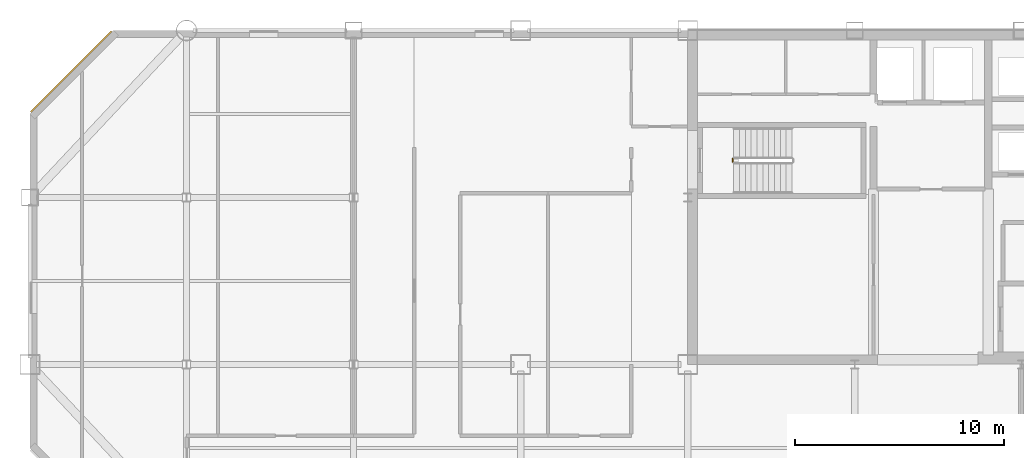
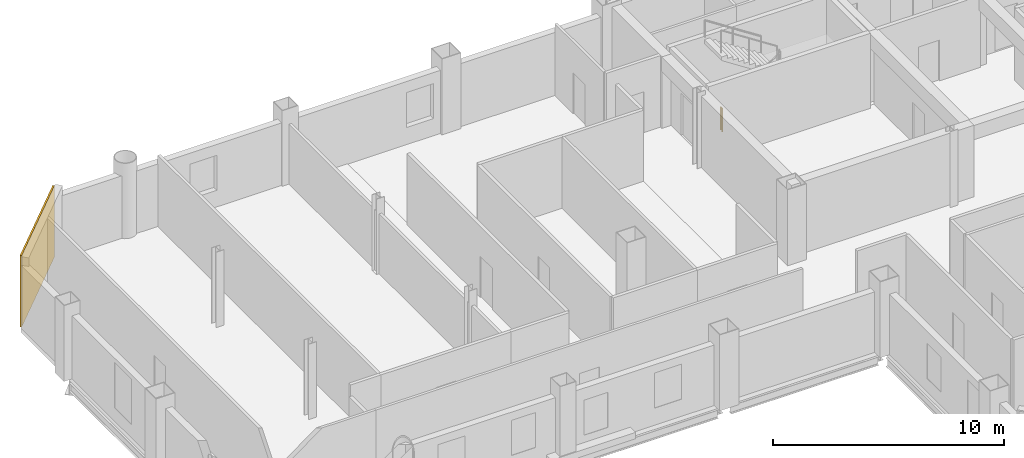
# One storey, part 10 of 11: 1 covering, 1 railing.
"""IFC4 building model written with IfcOpenShell, lengths in metres."""

from ifc_helpers import new_model, si_unit, direction, frame, origin, origin_2d, place, context, subcontext, project, spatial, rectangle, circle, extrude, material, layer, layer_set, type_object, element, save


model = new_model("IFC4")

# Units and contexts
model_context = context("Model", 3, precision=1e-05, world=origin(), true_north=direction((0.0, 1.0)))
body_context = subcontext(model_context, "Body", "Model", "MODEL_VIEW")
ifc_project = project(units=[si_unit("LENGTHUNIT", "METRE"), si_unit("AREAUNIT", "SQUARE_METRE"), si_unit("VOLUMEUNIT", "CUBIC_METRE"), si_unit("PLANEANGLEUNIT", "RADIAN"), si_unit("MASSUNIT", "GRAM", prefix="KILO")], contexts=[model_context])

# Site, building, storey
site_placement = place(None, origin())
site = spatial("IfcSite", under=ifc_project, at=site_placement, CompositionType="ELEMENT")
building_placement = place(site_placement, origin())
building = spatial("IfcBuilding", under=site, at=building_placement, Name="Qianrong Seaharbour Tower", CompositionType="ELEMENT")
storey_placement = place(building_placement, frame((0.0, 0.0, 265.800048828125)))
storey = spatial("IfcBuildingStorey", under=building, at=storey_placement, Name="L64", CompositionType="ELEMENT", Elevation=265.800048828125)

# Covering
ifc_material_1 = material(Name="Unitised red brick cladding on Precast concrete C45/55", Category="masonry")
ifc_layer = layer(ifc_material_1, 0.080078125)
ifc_layer_set = layer_set([ifc_layer], Name="Unitised red brick cladding on Precast concrete C45/55")
covering_type = type_object("IfcCoveringType", Name="COV-CLAD-RED-BRICK-80", PredefinedType="CLADDING", material=ifc_layer_set)
covering_placement = place(storey_placement, frame((10.9716796875, 50.0283203125, 0.0), z_axis=(0.0, 0.0, 1.0), x_axis=(0.707106781187, 0.707106781187, 0.0)))
element("IfcCovering", 1, at=covering_placement, inside=storey, type_object=covering_type, Name="L64 Chamfer Corner Brick Cladding 04", PredefinedType="CLADDING", context=body_context, shape_type="SweptSolid", body=[
    extrude(rectangle(XDim=5.456787109375, YDim=0.080078125, at=origin_2d()), origin(), (0.0, 0.0, 1.0), 3.77490234375),
])

# Railing
ifc_material_2 = material(Name="Galvanized painted steel SN400B stair guard", Category="steel")
railing_type = type_object("IfcRailingType", Name="RAIL-STAIR-GUARD-1220", PredefinedType="GUARDRAIL", material=ifc_material_2)
railing_placement = place(storey_placement, frame((42.64990234375, 45.699951171875, 0.0)))
element("IfcRailing", 2, at=railing_placement, inside=storey, type_object=railing_type, Name="L64 ST-1 stair guard 4", PredefinedType="GUARDRAIL", context=body_context, shape_type="SweptSolid", body=[
    extrude(circle(Radius=0.02392578125, at=origin_2d()), frame((0.0, 0.0, 1.19580078125), z_axis=(0.0, 1.0, 0.0), x_axis=(-1.0, 0.0, 0.0)), (0.0, 0.0, 1.0), 0.150146484375),
    extrude(circle(Radius=0.02099609375, at=origin_2d()), origin(), (0.0, 0.0, 1.0), 1.171875),
    extrude(circle(Radius=0.02099609375, at=origin_2d()), frame((0.0, 0.150146484375, 0.0)), (0.0, 0.0, 1.0), 1.171875),
])

save(model, "model.ifc")
